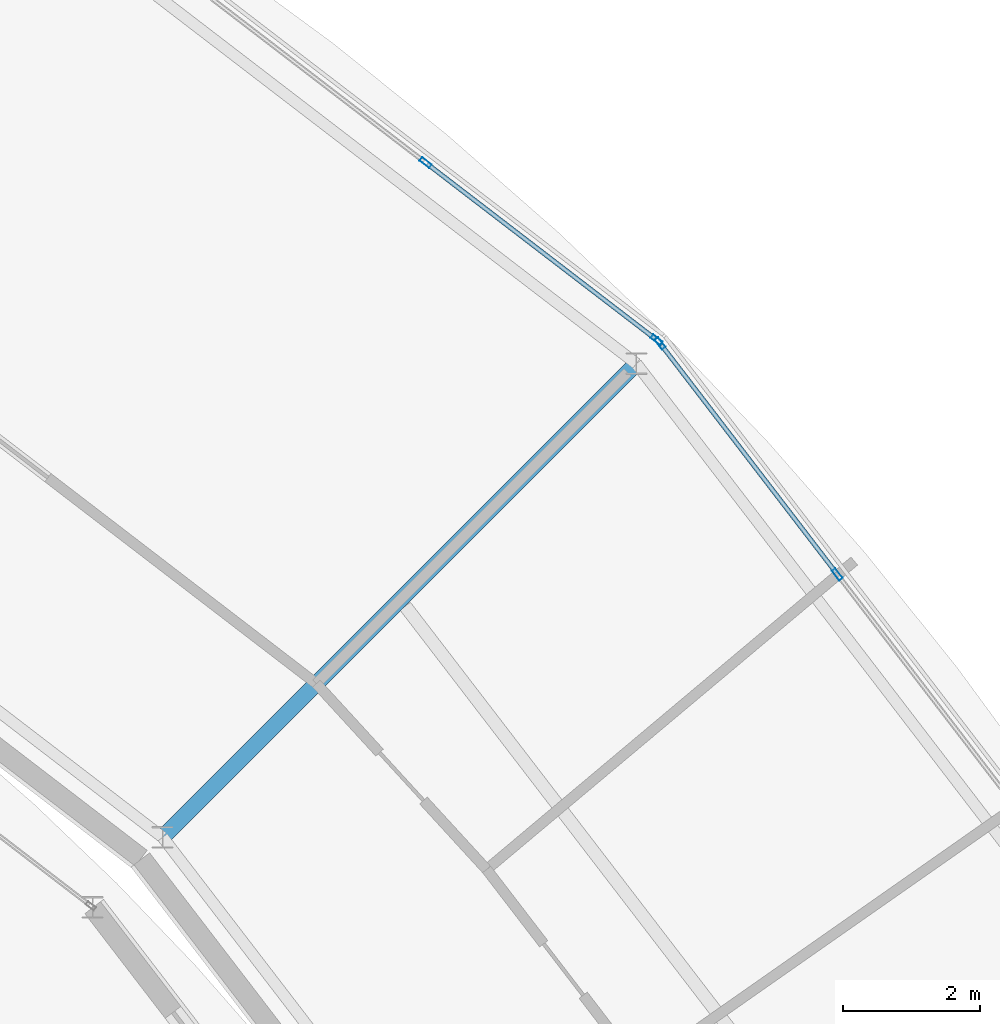
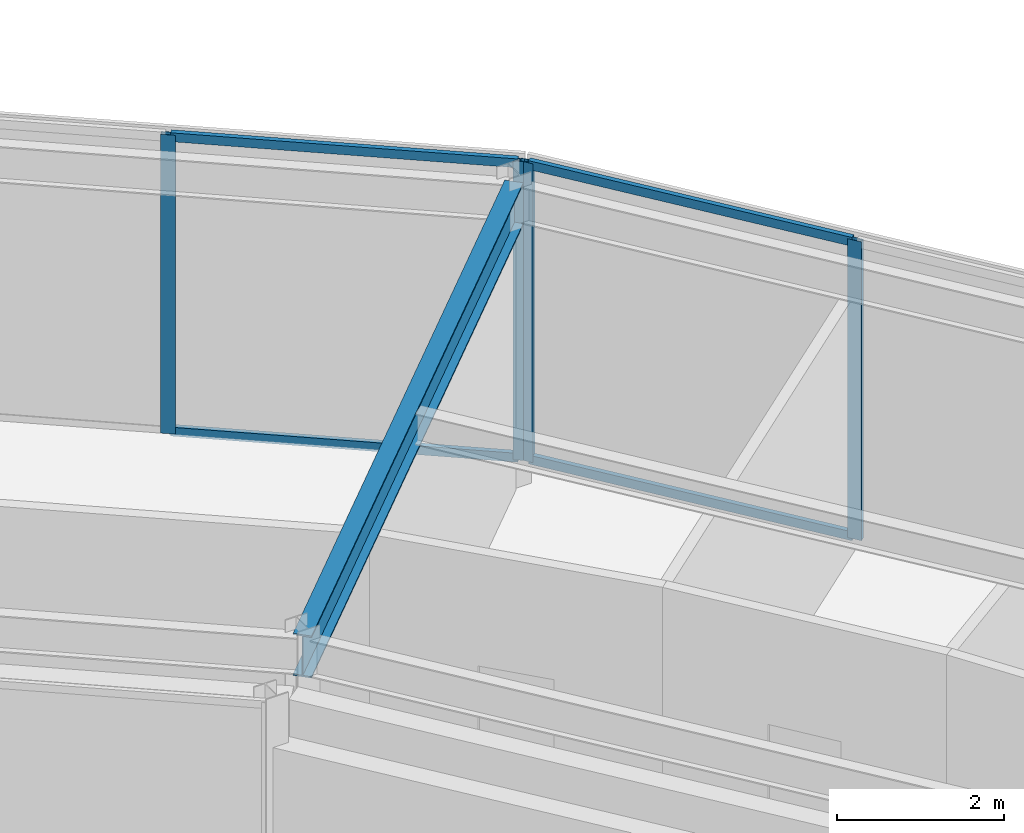
# One storey, part 61 of 116: 8 members, 1 beam, 2 elements without a shape of their own.
"""IFC4 building model written with IfcOpenShell, lengths in metres."""

from ifc_helpers import new_model, si_unit, direction, frame, origin, origin_2d, place, context, subcontext, project, spatial, hollow_rectangle, i_section, extrude, material, material_profile, profile_set, type_object, element, aggregate, save


model = new_model("IFC4")

# Units and contexts
model_context = context("Model", 3, precision=1e-05, world=origin(), true_north=direction((0.0, 1.0)))
body_context = subcontext(model_context, "Body", "Model", "MODEL_VIEW")
ifc_project = project(units=[si_unit("LENGTHUNIT", "METRE"), si_unit("AREAUNIT", "SQUARE_METRE"), si_unit("VOLUMEUNIT", "CUBIC_METRE"), si_unit("PLANEANGLEUNIT", "RADIAN"), si_unit("MASSUNIT", "GRAM", prefix="KILO")], contexts=[model_context])

# Site, building, storey
site_placement = place(None, origin())
site = spatial("IfcSite", under=ifc_project, at=site_placement, CompositionType="ELEMENT")
building_placement = place(site_placement, origin())
building = spatial("IfcBuilding", under=site, at=building_placement, Name="Almandine Court Research Institute", CompositionType="ELEMENT")
storey_placement = place(building_placement, frame((0.0, 0.0, 14.35009765625)))
storey = spatial("IfcBuildingStorey", under=building, at=storey_placement, Name="L03", CompositionType="ELEMENT", Elevation=14.35009765625)

# Beam
ifc_material_1 = material(Name="Steel ASTM A992 Grade 50", Category="steel")
ifc_material_profile_1 = material_profile(ifc_material_1, i_section(OverallWidth=0.22998046875, OverallDepth=0.616943359375, WebThickness=0.012939453125, FlangeThickness=0.02197265625, at=origin_2d()), Name="W610x140")
ifc_profile_set_1 = profile_set([ifc_material_profile_1], Name="Steel ASTM A992 Grade 50")
beam_type = type_object("IfcBeamType", Name="Beam-G-02", PredefinedType="BEAM", material=ifc_profile_set_1)
beam_placement = place(storey_placement, frame((114.64794921875, 83.64794921875, 4.06201171875), z_axis=(0.707106781187, 0.707106781187, 0.0), x_axis=(-0.707106781187, 0.707106781187, 0.0)))
element("IfcBeam", 1, at=beam_placement, inside=storey, type_object=beam_type, Name="L03 Drum Radial Girder 03", PredefinedType="BEAM", context=body_context, shape_type="SweptSolid", body=[
    extrude(i_section(OverallWidth=0.22998046875, OverallDepth=0.616943359375, WebThickness=0.012939453125, FlangeThickness=0.02197265625, at=origin_2d()), origin(), (0.0, 0.0, 1.0), 9.80029296875),
])

# Curtain wall, members
ifc_material_2 = material(Name="Unitised Curtain Wall Framing and Solar Glazing", Category="glass")
curtain_wall_type = type_object("IfcCurtainWallType", Name="CW-CWJ-19", PredefinedType="USERDEFINED", material=ifc_material_2)
curtain_wall_1_placement = place(storey_placement, origin())
curtain_wall_1 = element("IfcCurtainWall", 2, at=curtain_wall_1_placement, inside=storey, type_object=curtain_wall_type, Name="L03 Stacked-Ring Drum Outer Solar Jali Screen 02", ObjectType="SOLAR JALI SCREEN", PredefinedType="USERDEFINED")
ifc_material_3 = material(Name="Anodised Aluminium AW-6063-T6", Category="aluminium")
ifc_material_profile_2 = material_profile(ifc_material_3, hollow_rectangle(XDim=0.06494140625, YDim=0.179931640625, WallThickness=0.00390625, at=origin_2d()), Name="ALU RHS 65x180x4")
ifc_profile_set_2 = profile_set([ifc_material_profile_2], Name="Anodised Aluminium AW-6063-T6")
member_type_1 = type_object("IfcMemberType", Name="CWMul-65x180", PredefinedType="MULLION", material=ifc_profile_set_2)
member_1_placement = place(storey_placement, frame((121.92578125, 90.874267578125, 0.0), z_axis=(0.0, 0.0, 1.0), x_axis=(0.793382586046, 0.608723313303, 0.0)))
member_1 = element("IfcMember", 3, at=member_1_placement, type_object=member_type_1, Name="CWJ-19 mullion 1", PredefinedType="MULLION", context=body_context, shape_type="SweptSolid", body=[
    extrude(hollow_rectangle(XDim=0.06494140625, YDim=0.179931640625, WallThickness=0.00390625, at=origin_2d()), origin(), (0.0, 0.0, 1.0), 4.369873046875),
])
member_2_placement = place(storey_placement, frame((124.51904296875, 87.494384765625, 0.0), z_axis=(0.0, 0.0, 1.0), x_axis=(0.793382586046, 0.608723313303, 0.0)))
member_2 = element("IfcMember", 4, at=member_2_placement, type_object=member_type_1, Name="CWJ-19 mullion 2", PredefinedType="MULLION", context=body_context, shape_type="SweptSolid", body=[
    extrude(hollow_rectangle(XDim=0.06494140625, YDim=0.179931640625, WallThickness=0.00390625, at=origin_2d()), origin(), (0.0, 0.0, 1.0), 4.369873046875),
])

curtain_wall_2_placement = place(storey_placement, origin())
curtain_wall_2 = element("IfcCurtainWall", 5, at=curtain_wall_2_placement, inside=storey, type_object=curtain_wall_type, Name="L03 Stacked-Ring Drum Outer Solar Jali Screen 03", ObjectType="SOLAR JALI SCREEN", PredefinedType="USERDEFINED")
member_3_placement = place(storey_placement, frame((118.494384765625, 93.51904296875, 0.0), z_axis=(0.0, 0.0, 1.0), x_axis=(0.608723313303, 0.793382586046, 0.0)))
member_3 = element("IfcMember", 6, at=member_3_placement, type_object=member_type_1, Name="CWJ-19 mullion 3", PredefinedType="MULLION", context=body_context, shape_type="SweptSolid", body=[
    extrude(hollow_rectangle(XDim=0.06494140625, YDim=0.179931640625, WallThickness=0.00390625, at=origin_2d()), origin(), (0.0, 0.0, 1.0), 4.369873046875),
])
member_4_placement = place(storey_placement, frame((121.874267578125, 90.92578125, 0.0), z_axis=(0.0, 0.0, 1.0), x_axis=(0.608723313303, 0.793382586046, 0.0)))
member_4 = element("IfcMember", 7, at=member_4_placement, type_object=member_type_1, Name="CWJ-19 mullion 4", PredefinedType="MULLION", context=body_context, shape_type="SweptSolid", body=[
    extrude(hollow_rectangle(XDim=0.06494140625, YDim=0.179931640625, WallThickness=0.00390625, at=origin_2d()), origin(), (0.0, 0.0, 1.0), 4.369873046875),
])

# Member
ifc_material_profile_3 = material_profile(ifc_material_3, hollow_rectangle(XDim=0.06494140625, YDim=0.1298828125, WallThickness=0.00390625, at=origin_2d()), Name="ALU RHS 65x130x4")
ifc_profile_set_3 = profile_set([ifc_material_profile_3], Name="Anodised Aluminium AW-6063-T6")
member_type_2 = type_object("IfcMemberType", Name="CWTrn-65x130", PredefinedType="NOTDEFINED", material=ifc_profile_set_3)
member_5_placement = place(storey_placement, frame((121.945556640625, 90.848388671875, 0.032470703125), z_axis=(0.608725941364, -0.793380569658, 0.0), x_axis=(0.793380569658, 0.608725941364, 0.0)))
member_5 = element("IfcMember", 8, at=member_5_placement, type_object=member_type_2, Name="CWJ-19 transom 1.1", ObjectType="TRANSOM", PredefinedType="USERDEFINED", context=body_context, shape_type="SweptSolid", body=[
    extrude(hollow_rectangle(XDim=0.06494140625, YDim=0.1298828125, WallThickness=0.00390625, at=origin_2d()), origin(), (0.0, 0.0, 1.0), 4.195068359375),
])

member_6_placement = place(storey_placement, frame((121.945556640625, 90.848388671875, 4.33740234375), z_axis=(0.608725941364, -0.793380569658, 0.0), x_axis=(0.793380569658, 0.608725941364, 0.0)))
member_6 = element("IfcMember", 9, at=member_6_placement, type_object=member_type_2, Name="CWJ-19 transom 1.2", ObjectType="TRANSOM", PredefinedType="USERDEFINED", context=body_context, shape_type="SweptSolid", body=[
    extrude(hollow_rectangle(XDim=0.06494140625, YDim=0.1298828125, WallThickness=0.00390625, at=origin_2d()), origin(), (0.0, 0.0, 1.0), 4.195068359375),
])

aggregate(curtain_wall_1, [member_1, member_2, member_5, member_6])

member_7_placement = place(storey_placement, frame((118.52001953125, 93.499267578125, 0.032470703125), z_axis=(0.793380569658, -0.608725941364, 0.0), x_axis=(0.608725941364, 0.793380569658, 0.0)))
member_7 = element("IfcMember", 10, at=member_7_placement, type_object=member_type_2, Name="CWJ-19 transom 3.1", ObjectType="TRANSOM", PredefinedType="USERDEFINED", context=body_context, shape_type="SweptSolid", body=[
    extrude(hollow_rectangle(XDim=0.06494140625, YDim=0.1298828125, WallThickness=0.00390625, at=origin_2d()), origin(), (0.0, 0.0, 1.0), 4.195068359375),
])

member_8_placement = place(storey_placement, frame((118.52001953125, 93.499267578125, 4.33740234375), z_axis=(0.793380569658, -0.608725941364, 0.0), x_axis=(0.608725941364, 0.793380569658, 0.0)))
member_8 = element("IfcMember", 11, at=member_8_placement, type_object=member_type_2, Name="CWJ-19 transom 3.2", ObjectType="TRANSOM", PredefinedType="USERDEFINED", context=body_context, shape_type="SweptSolid", body=[
    extrude(hollow_rectangle(XDim=0.06494140625, YDim=0.1298828125, WallThickness=0.00390625, at=origin_2d()), origin(), (0.0, 0.0, 1.0), 4.195068359375),
])

aggregate(curtain_wall_2, [member_3, member_4, member_7, member_8])

save(model, "model.ifc")
